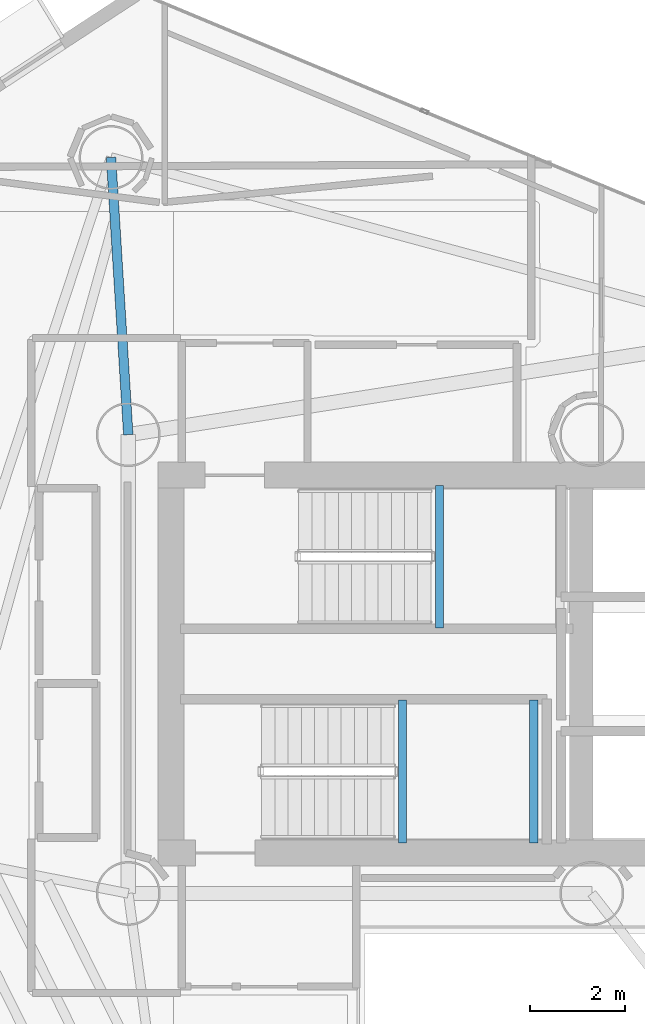
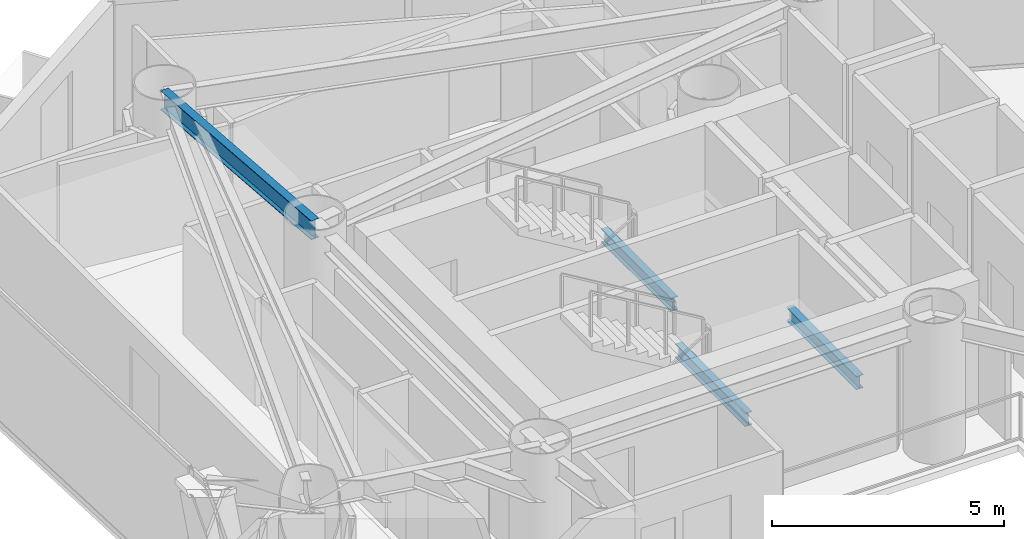
# One storey, part 10 of 22: 4 beams.
"""IFC4 building model written with IfcOpenShell, lengths in metres."""

from ifc_helpers import new_model, si_unit, direction, frame, origin, origin_2d, place, context, subcontext, project, spatial, i_section, extrude, material, material_profile, profile_set, type_object, element, save


model = new_model("IFC4")

# Units and contexts
model_context = context("Model", 3, precision=1e-05, world=origin(), true_north=direction((0.0, 1.0)))
body_context = subcontext(model_context, "Body", "Model", "MODEL_VIEW")
ifc_project = project(units=[si_unit("LENGTHUNIT", "METRE"), si_unit("AREAUNIT", "SQUARE_METRE"), si_unit("VOLUMEUNIT", "CUBIC_METRE"), si_unit("PLANEANGLEUNIT", "RADIAN"), si_unit("MASSUNIT", "GRAM", prefix="KILO")], contexts=[model_context])

# Site, building, storey
site_placement = place(None, origin())
site = spatial("IfcSite", under=ifc_project, at=site_placement, CompositionType="ELEMENT")
building_placement = place(site_placement, origin())
building = spatial("IfcBuilding", under=site, at=building_placement, Name="Qianvela Tower", CompositionType="ELEMENT")
storey_placement = place(building_placement, frame((0.0, 0.0, 158.699951171875)))
storey = spatial("IfcBuildingStorey", under=building, at=storey_placement, Name="L40", CompositionType="ELEMENT", Elevation=158.699951171875)

# Beams
ifc_material_1 = material(Name="Steel Q355B", Category="steel")
ifc_material_profile_1 = material_profile(ifc_material_1, i_section(OverallWidth=0.175048828125, OverallDepth=0.35009765625, WebThickness=0.007080078125, FlangeThickness=0.010986328125, at=origin_2d()), Name="HN350x175x7x11")
ifc_profile_set_1 = profile_set([ifc_material_profile_1], Name="Steel Q355B")
beam_type_1 = type_object("IfcBeamType", Name="BM-HN350-JOIST", PredefinedType="JOIST", material=ifc_profile_set_1)
for number, where, z_axis, x_axis, name in (
    (1, (35.179931640625, 29.4599609375, 1.47509765625), (0.0, 1.0, 0.0), (-1.0, 0.0, 0.0), "L40 Stair ST-1 Landing Support Beam 1.1"),
    (2, (34.39990234375, 24.919921875, 1.47509765625), (0.0, 1.0, 0.0), (-1.0, 0.0, 0.0), "L40 Stair ST-2 Landing Support Beam 1.1"),
    (3, (37.169921875, 24.919921875, 1.47509765625), (0.0, 1.0, 0.0), (-1.0, 0.0, 0.0), "L40 Stair ST-2 Landing Support Beam 1.2"),
):
    element("IfcBeam", number, at=place(storey_placement, frame(where, z_axis=z_axis, x_axis=x_axis)), inside=storey, type_object=beam_type_1, Name=name, PredefinedType="JOIST", context=body_context, shape_type="SweptSolid", body=[
        extrude(i_section(OverallWidth=0.175048828125, OverallDepth=0.35009765625, WebThickness=0.007080078125, FlangeThickness=0.010986328125, at=origin_2d()), origin(), (0.0, 0.0, 1.0), 3.02001953125),
    ])
ifc_material_2 = material(Name="Steel Q355B", Category="steel")
ifc_material_profile_2 = material_profile(ifc_material_2, i_section(OverallWidth=0.199951171875, OverallDepth=0.5, WebThickness=0.010009765625, FlangeThickness=0.01611328125, at=origin_2d()), Name="HN500x200x10x16")
ifc_profile_set_2 = profile_set([ifc_material_profile_2], Name="Steel Q355B")
beam_type_2 = type_object("IfcBeamType", Name="BM-HN500-GIRD", PredefinedType="BEAM", material=ifc_profile_set_2)
beam_placement = place(storey_placement, frame((28.60009765625, 33.550048828125, 3.26806640625), z_axis=(-0.0621556847, 0.998066466153, 0.0), x_axis=(-0.998066466153, -0.0621556847, 0.0)))
element("IfcBeam", 4, at=beam_placement, inside=storey, type_object=beam_type_2, Name="L40 Radial Primary Floor Girder 3", PredefinedType="BEAM", context=body_context, shape_type="SweptSolid", body=[
    extrude(i_section(OverallWidth=0.199951171875, OverallDepth=0.5, WebThickness=0.010009765625, FlangeThickness=0.01611328125, at=origin_2d()), origin(), (0.0, 0.0, 1.0), 5.872314453125),
])

save(model, "model.ifc")
